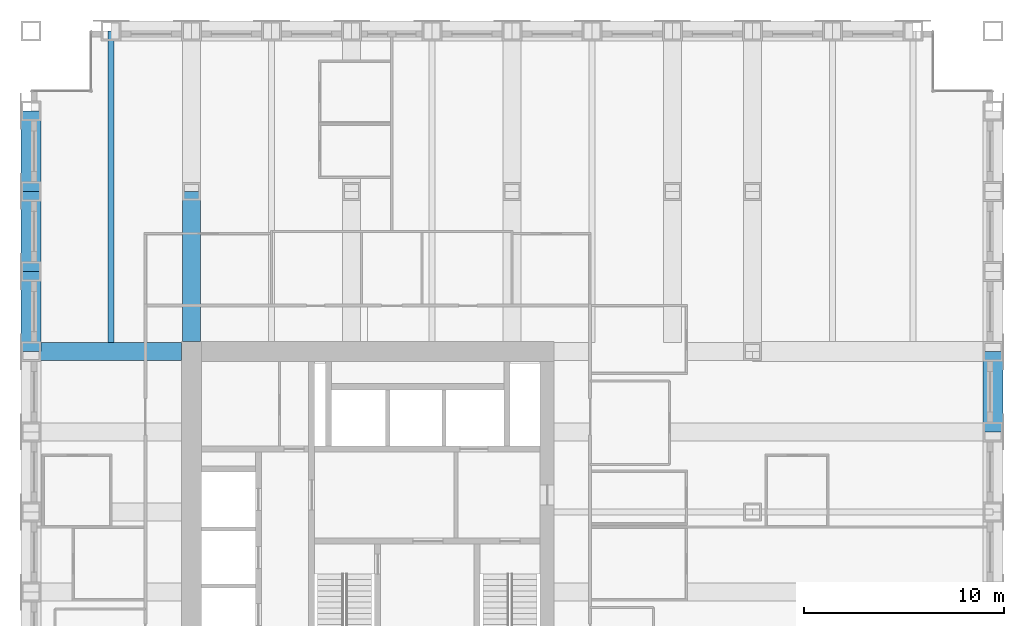
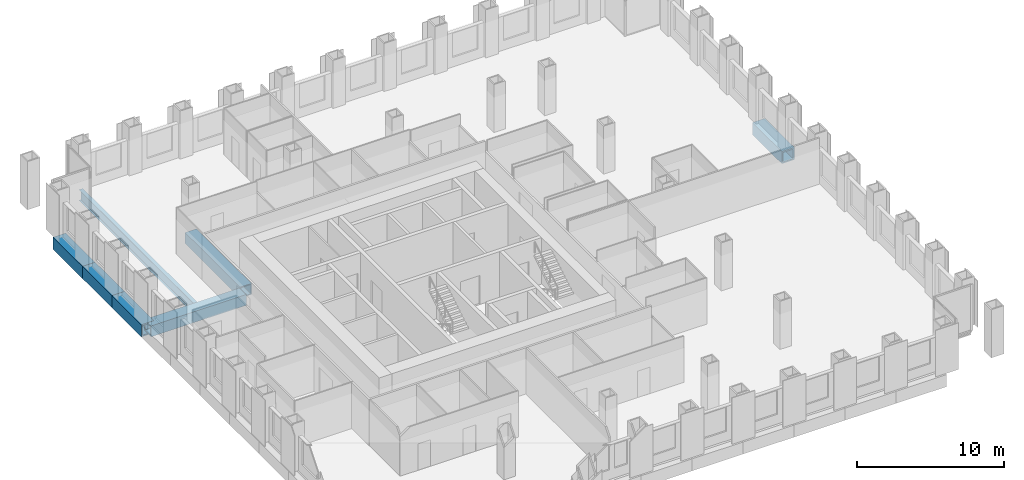
# One storey, part 5 of 16: 7 beams.
"""IFC4 building model written with IfcOpenShell, lengths in metres."""

from ifc_helpers import new_model, si_unit, direction, frame, origin, origin_2d, place, context, subcontext, project, spatial, hollow_rectangle, i_section, extrude, material, material_profile, profile_set, type_object, element, save


model = new_model("IFC4")

# Units and contexts
model_context = context("Model", 3, precision=1e-05, world=origin(), true_north=direction((0.0, 1.0)))
body_context = subcontext(model_context, "Body", "Model", "MODEL_VIEW")
ifc_project = project(units=[si_unit("LENGTHUNIT", "METRE"), si_unit("AREAUNIT", "SQUARE_METRE"), si_unit("VOLUMEUNIT", "CUBIC_METRE"), si_unit("PLANEANGLEUNIT", "RADIAN"), si_unit("MASSUNIT", "GRAM", prefix="KILO")], contexts=[model_context])

# Site, building, storey
site_placement = place(None, origin())
site = spatial("IfcSite", under=ifc_project, at=site_placement, CompositionType="ELEMENT")
building_placement = place(site_placement, origin())
building = spatial("IfcBuilding", under=site, at=building_placement, Name="Rimbunsela Tower", CompositionType="ELEMENT")
storey_placement = place(building_placement, frame((0.0, 0.0, 129.39990234375)))
storey = spatial("IfcBuildingStorey", under=building, at=storey_placement, Name="L31", CompositionType="ELEMENT", Elevation=129.39990234375)

# Beams
ifc_material_1 = material(Name="Steel BJ 55 (fy 410 MPa)", Category="steel")
ifc_material_profile_1 = material_profile(ifc_material_1, hollow_rectangle(XDim=1.0, YDim=1.0, WallThickness=0.10009765625, at=origin_2d()), Name="BOX 1000x1000x100")
ifc_profile_set_1 = profile_set([ifc_material_profile_1], Name="Steel BJ 55 (fy 410 MPa)")
beam_type_1 = type_object("IfcBeamType", Name="Beam BOX 1000x1000x100", PredefinedType="BEAM", material=ifc_profile_set_1)
for number, where, z_axis, x_axis, name in (
    (1, (10.0, 36.0, -0.64990234375), (0.0, 1.0, 0.0), (-1.0, 0.0, 0.0), "Beam B3 L31"),
    (2, (10.0, 40.0, -0.64990234375), (0.0, 1.0, 0.0), (-1.0, 0.0, 0.0), "Beam B3 L31"),
    (3, (10.0, 44.0, -0.64990234375), (0.0, 1.0, 0.0), (-1.0, 0.0, 0.0), "Beam B3 L31"),
    (4, (58.0, 32.0, -0.64990234375), (0.0, 1.0, 0.0), (-1.0, 0.0, 0.0), "Beam B3 L31"),
):
    element("IfcBeam", number, at=place(storey_placement, frame(where, z_axis=z_axis, x_axis=x_axis)), inside=storey, type_object=beam_type_1, Name=name, PredefinedType="BEAM", context=body_context, shape_type="SweptSolid", body=[
        extrude(hollow_rectangle(XDim=1.0, YDim=1.0, WallThickness=0.10009765625, at=origin_2d()), origin(), (0.0, 0.0, 1.0), 4.0),
    ])
ifc_material_2 = material(Name="Steel BJ 55 (fy 410 MPa)", Category="steel")
ifc_material_profile_2 = material_profile(ifc_material_2, hollow_rectangle(XDim=0.89990234375, YDim=0.89990234375, WallThickness=0.06005859375, at=origin_2d()), Name="BOX 900x900x60")
ifc_profile_set_2 = profile_set([ifc_material_profile_2], Name="Steel BJ 55 (fy 410 MPa)")
beam_type_2 = type_object("IfcBeamType", Name="Beam BOX 900x900x60", PredefinedType="BEAM", material=ifc_profile_set_2)
for number, where, z_axis, x_axis, name in (
    (5, (10.0, 36.0, -0.599853515625), (1.0, 0.0, 0.0), (0.0, 1.0, 0.0), "Beam B1 L31"),
    (6, (18.0, 36.5, -0.599853515625), (0.0, 1.0, 0.0), (-1.0, 0.0, 0.0), "Beam B1 L31"),
):
    element("IfcBeam", number, at=place(storey_placement, frame(where, z_axis=z_axis, x_axis=x_axis)), inside=storey, type_object=beam_type_2, Name=name, PredefinedType="BEAM", context=body_context, shape_type="SweptSolid", body=[
        extrude(hollow_rectangle(XDim=0.89990234375, YDim=0.89990234375, WallThickness=0.06005859375, at=origin_2d()), origin(), (0.0, 0.0, 1.0), 7.5),
    ])
ifc_material_3 = material(Name="Steel BJ 55 (fy 410 MPa)", Category="steel")
ifc_material_profile_3 = material_profile(ifc_material_3, i_section(OverallWidth=0.300048828125, OverallDepth=0.89990234375, WebThickness=0.01611328125, FlangeThickness=0.028076171875, FilletRadius=0.028076171875, at=origin_2d()), Name="H 900x300x16x28")
ifc_profile_set_3 = profile_set([ifc_material_profile_3], Name="Steel BJ 55 (fy 410 MPa)")
beam_type_3 = type_object("IfcBeamType", Name="Beam H 900x300x16x28", PredefinedType="BEAM", material=ifc_profile_set_3)
beam_placement = place(storey_placement, frame((14.0, 36.449951171875, -0.599853515625), z_axis=(0.0, 1.0, 0.0), x_axis=(-1.0, 0.0, 0.0)))
element("IfcBeam", 7, at=beam_placement, inside=storey, type_object=beam_type_3, Name="Beam B2 L31", PredefinedType="BEAM", context=body_context, shape_type="SweptSolid", body=[
    extrude(i_section(OverallWidth=0.300048828125, OverallDepth=0.89990234375, WebThickness=0.01611328125, FlangeThickness=0.028076171875, FilletRadius=0.028076171875, at=origin_2d()), origin(), (0.0, 0.0, 1.0), 15.550048828125),
])

save(model, "model.ifc")
